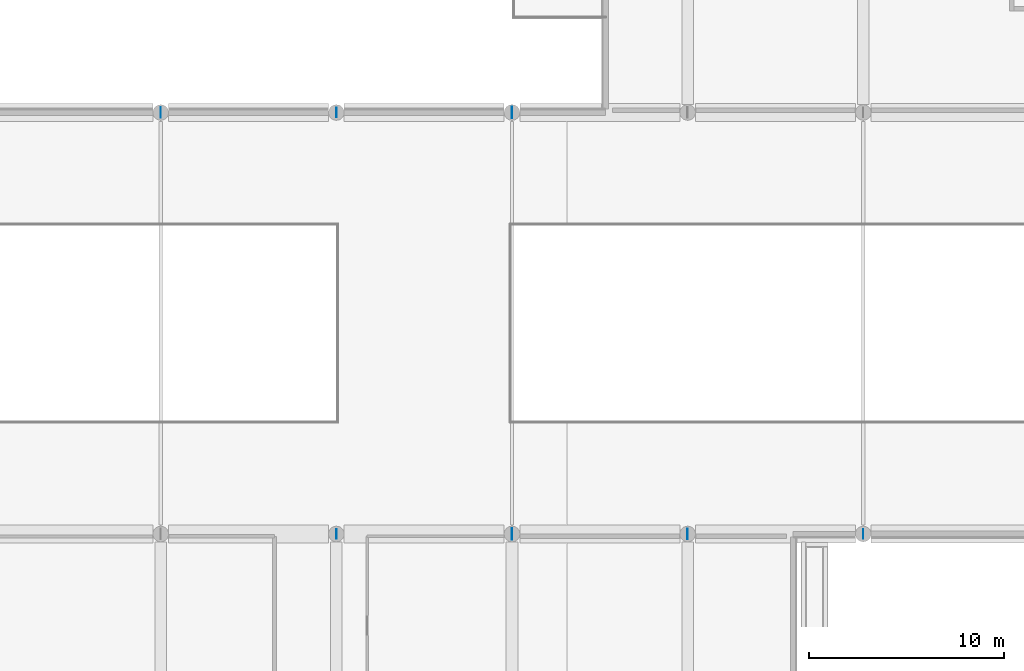
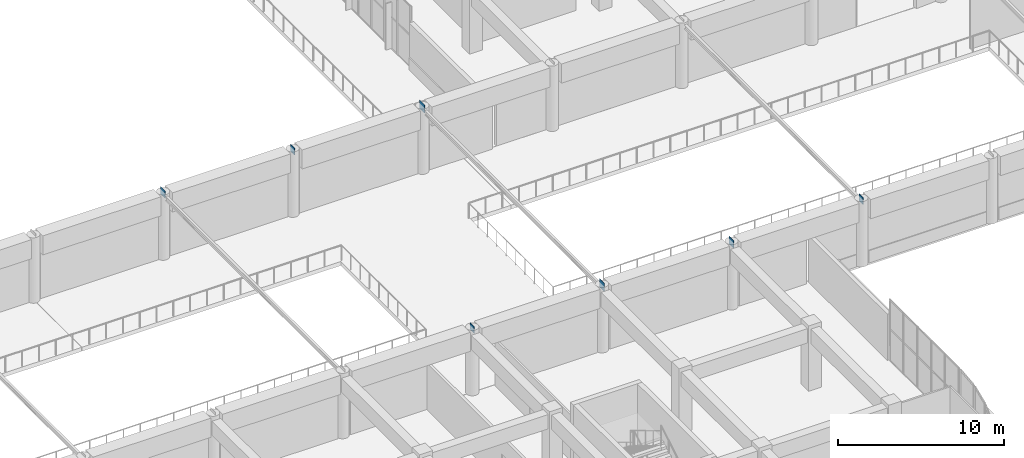
# One storey, part 58 of 96: 7 plates.
"""IFC4 building model written with IfcOpenShell, lengths in metres."""

import ifcopenshell
import ifcopenshell.guid

model = None  # the IFC model being written
_history = None  # IfcOwnerHistory: only IFC2X3 demands one
_inside = {}  # id of a spatial element -> (the spatial element, [elements in it])
_under = {}  # id of a project, library or spatial element -> (it, [spatial elements below it])
_declared = {}  # id of a project -> (the project, [libraries it declares])
_typed = {}  # id of a type object -> (the type object, [elements of that type])
_made_of = {}  # id of a material, layer set ... -> (it, [elements and type objects made of it])


def new_model(schema):
    """Start an empty IFC model of exactly this schema.

    Asked for "IFC4X3", IfcOpenShell would pick the latest addendum, in which some entities
    have other attributes; the version numbers below select the first issue.
    IFC2X3 requires an IfcOwnerHistory on every rooted entity: one is made here for all.
    """
    global model, _history
    if schema == "IFC4X3":
        model = ifcopenshell.file(schema_version=(4, 3, 0, 0))
    else:
        model = ifcopenshell.file(schema=schema)
    _inside.clear()
    _under.clear()
    _declared.clear()
    _typed.clear()
    _made_of.clear()
    _history = None
    if model.schema == "IFC2X3":
        org = make("IfcOrganization", Name="unknown")
        user = make(
            "IfcPersonAndOrganization",
            ThePerson=make("IfcPerson", FamilyName="unknown"),
            TheOrganization=org,
        )
        app = make(
            "IfcApplication",
            ApplicationDeveloper=org,
            Version="unknown",
            ApplicationFullName="unknown",
            ApplicationIdentifier="unknown",
        )
        _history = make(
            "IfcOwnerHistory",
            OwningUser=user,
            OwningApplication=app,
            ChangeAction="ADDED",
            CreationDate=0,
        )
    return model


def make(cls, **values):
    """One entity of the class cls with the attributes given. An attribute that is None is left unset."""
    return model.create_entity(
        cls, **{name: value for name, value in values.items() if value is not None}
    )


def rooted(cls, **values):
    """An entity with a GlobalId (a new one), such as an element, a storey or a relation."""
    return make(cls, GlobalId=ifcopenshell.guid.new(), OwnerHistory=_history, **values)


def si_unit(unit_type, name, prefix=None):
    """IfcSIUnit, for example si_unit("LENGTHUNIT", "METRE", prefix="MILLI")."""
    return make("IfcSIUnit", UnitType=unit_type, Prefix=prefix, Name=name)


def assignment(units):
    """IfcUnitAssignment: the units of a project."""
    return None if units is None else make("IfcUnitAssignment", Units=units)


def point(xyz):
    """IfcCartesianPoint."""
    return None if xyz is None else make("IfcCartesianPoint", Coordinates=xyz)


def direction(xyz):
    """IfcDirection."""
    return None if xyz is None else make("IfcDirection", DirectionRatios=xyz)


def frame(location, z_axis=None, x_axis=None):
    """IfcAxis2Placement3D, a coordinate frame: its origin and axes. An axis left out is left unset."""
    return make(
        "IfcAxis2Placement3D",
        Location=point(location),
        Axis=direction(z_axis),
        RefDirection=direction(x_axis),
    )


def frame_2d(location, x_axis=None):
    """IfcAxis2Placement2D, a coordinate frame in the plane: its origin and x axis."""
    return make(
        "IfcAxis2Placement2D", Location=point(location), RefDirection=direction(x_axis)
    )


def origin():
    """The frame at (0, 0, 0) with its axes left unset."""
    return frame((0.0, 0.0, 0.0))


def origin_2d():
    """The frame at (0, 0) in the plane with its x axis left unset."""
    return frame_2d((0.0, 0.0))


def place(relative_to, where):
    """IfcLocalPlacement: puts the frame where relative to a parent placement (None: the world)."""
    return make(
        "IfcLocalPlacement", PlacementRelTo=relative_to, RelativePlacement=where
    )


def context(
    kind, dimensions, precision=None, world=None, true_north=None, identifier=None
):
    """IfcGeometricRepresentationContext, for example the 3D "Model" context."""
    return make(
        "IfcGeometricRepresentationContext",
        ContextIdentifier=identifier,
        ContextType=kind,
        CoordinateSpaceDimension=dimensions,
        Precision=precision,
        WorldCoordinateSystem=world,
        TrueNorth=true_north,
    )


def subcontext(parent, identifier, kind, view, scale=None):
    """IfcGeometricRepresentationSubContext, for example "Body" below "Model"."""
    return make(
        "IfcGeometricRepresentationSubContext",
        ContextIdentifier=identifier,
        ContextType=kind,
        ParentContext=parent,
        TargetScale=scale,
        TargetView=view,
    )


def project(units=None, contexts=None):
    """IfcProject with its units and contexts."""
    return rooted(
        "IfcProject",
        Name="project",
        RepresentationContexts=contexts,
        UnitsInContext=assignment(units),
    )


def spatial(cls, under=None, at=None, **own):
    """A site, building, storey or space (cls), placed at a placement, below another one or the project."""
    s = rooted(cls, ObjectPlacement=at, **own)
    if under is not None:
        _under.setdefault(under.id(), (under, []))[1].append(s)
    return s


def profile(cls, at=None, kind="AREA", **sizes):
    """A parametric profile (cls). Its sizes go by their IFC names, for example OverallWidth=200.0."""
    return make(cls, ProfileType=kind, Position=at, **sizes)


def rectangle(**sizes):
    """IfcRectangleProfileDef."""
    return profile("IfcRectangleProfileDef", **sizes)


def extrude(swept, where, along, depth):
    """IfcExtrudedAreaSolid: the profile swept, set in the frame where, extruded along a direction by depth."""
    return make(
        "IfcExtrudedAreaSolid",
        SweptArea=swept,
        Position=where,
        ExtrudedDirection=direction(along),
        Depth=depth,
    )


def shape(context_of_items, identifier, shape_type, items):
    """IfcShapeRepresentation: the items that make up one representation, for example the "Body"."""
    return make(
        "IfcShapeRepresentation",
        ContextOfItems=context_of_items,
        RepresentationIdentifier=identifier,
        RepresentationType=shape_type,
        Items=items,
    )


def material(Name=None, Category=None):
    """IfcMaterial."""
    return make("IfcMaterial", Name=Name, Category=Category)


def layer(
    of_material, thickness, ventilated=None, Name=None, Category=None, Priority=None
):
    """IfcMaterialLayer: one layer of a wall or slab, of a material (None: an air gap)."""
    return make(
        "IfcMaterialLayer",
        Material=of_material,
        LayerThickness=thickness,
        IsVentilated=ventilated,
        Name=Name,
        Category=Category,
        Priority=Priority,
    )


def layer_set(layers, Name=None):
    """IfcMaterialLayerSet."""
    return make("IfcMaterialLayerSet", MaterialLayers=layers, LayerSetName=Name)


def made_of(thing, what):
    """Note that an element or type object is made of a material, layer set ...; save() writes the relation."""
    if what is not None:
        _made_of.setdefault(what.id(), (what, []))[1].append(thing)
    return thing


def type_object(cls, material=None, **own):
    """A type object (cls), such as IfcWallType, which elements share."""
    return made_of(rooted(cls, **own), material)


def element(
    cls,
    number,
    at=None,
    inside=None,
    cuts=None,
    type_object=None,
    material=None,
    context=None,
    identifier="Body",
    shape_type=None,
    held_by="IfcProductDefinitionShape",
    body=None,
    shapes=None,
    **own,
):
    """One element of the class cls, such as IfcWall. Its Tag is "e" and its number.

    at: its placement. inside: the storey or other place that contains it. cuts: it is an
    opening in that element (IfcRelVoidsElement). A single representation is given by context,
    identifier, shape_type and body (its items); several are given by shapes. held_by: the class
    of the entity that holds the representations. save() writes the other relations.
    """
    e = rooted(cls, Tag="e%d" % number, ObjectPlacement=at, **own)
    if body is not None:
        shapes = [shape(context, identifier, shape_type, body)]
    if shapes is not None:
        e.Representation = make(held_by, Representations=shapes)
    if inside is not None:
        _inside.setdefault(inside.id(), (inside, []))[1].append(e)
    if cuts is not None:
        rooted(
            "IfcRelVoidsElement", RelatingBuildingElement=cuts, RelatedOpeningElement=e
        )
    if type_object is not None:
        _typed.setdefault(type_object.id(), (type_object, []))[1].append(e)
    return made_of(e, material)


def aggregate(whole, parts):
    """IfcRelAggregates: a whole, such as a stair, and the parts it consists of."""
    return rooted("IfcRelAggregates", RelatingObject=whole, RelatedObjects=parts)


def save(model, path):
    """Write the relations noted so far, then the file.

    IfcRelAggregates (storeys below a building ...), IfcRelContainedInSpatialStructure (elements
    in a storey), IfcRelDefinesByType, IfcRelAssociatesMaterial and IfcRelDeclares: one each for
    every whole, place, type object, material and project.
    """
    for whole, parts in _under.values():
        aggregate(whole, parts)
    for where, things in _inside.values():
        rooted(
            "IfcRelContainedInSpatialStructure",
            RelatedElements=things,
            RelatingStructure=where,
        )
    for kind, things in _typed.values():
        rooted("IfcRelDefinesByType", RelatedObjects=things, RelatingType=kind)
    for what, things in _made_of.values():
        rooted("IfcRelAssociatesMaterial", RelatedObjects=things, RelatingMaterial=what)
    for by, libraries in _declared.values():
        rooted("IfcRelDeclares", RelatingContext=by, RelatedDefinitions=libraries)
    model.write(path)


model = new_model("IFC4")

# Units and contexts
model_context = context("Model", 3, precision=1e-05, world=origin(), true_north=direction((0.0, 1.0)))
body_context = subcontext(model_context, "Body", "Model", "MODEL_VIEW")
ifc_project = project(units=[si_unit("LENGTHUNIT", "METRE"), si_unit("AREAUNIT", "SQUARE_METRE"), si_unit("VOLUMEUNIT", "CUBIC_METRE"), si_unit("PLANEANGLEUNIT", "RADIAN"), si_unit("MASSUNIT", "GRAM", prefix="KILO")], contexts=[model_context])

# Site, building, storey
site_placement = place(None, origin())
site = spatial("IfcSite", under=ifc_project, at=site_placement, CompositionType="ELEMENT")
building_placement = place(site_placement, origin())
building = spatial("IfcBuilding", under=site, at=building_placement, Name="Cendralis Terraced Arcade", CompositionType="ELEMENT")
storey_placement = place(building_placement, frame((0.0, 0.0, 10.199951171875)))
storey = spatial("IfcBuildingStorey", under=building, at=storey_placement, Name="L02", CompositionType="ELEMENT", Elevation=10.199951171875)

# Plates
ifc_material = material(Name="Steel ASTM A572 Grade 50", Category="steel")
ifc_layer_1 = layer(ifc_material, 0.01806640625, Name="PLT-GUS-500x500x18")
ifc_layer_set_1 = layer_set([ifc_layer_1], Name="Steel ASTM A572 Grade 50")
plate_type_1 = type_object("IfcPlateType", Name="PLT-GUS-500x500x18", PredefinedType="SHEET", material=ifc_layer_set_1)
for number, where, z_axis, x_axis, name in (
    (1, (112.199951171875, 38.39990234375, 4.449951171875), (0.0, 0.0, 1.0), (0.0, 1.0, 0.0), "Shopping Arcade Vault Springing Node Gusset Plate 06-S"),
    (2, (112.199951171875, 60.0, 4.449951171875), (0.0, 0.0, 1.0), (0.0, 1.0, 0.0), "Shopping Arcade Vault Springing Node Gusset Plate 06-N"),
    (3, (139.199951171875, 38.39990234375, 4.449951171875), (0.0, 0.0, 1.0), (0.0, 1.0, 0.0), "Shopping Arcade Vault Springing Node Gusset Plate 09-S"),
):
    element("IfcPlate", number, at=place(storey_placement, frame(where, z_axis=z_axis, x_axis=x_axis)), inside=storey, type_object=plate_type_1, Name=name, PredefinedType="SHEET", context=body_context, shape_type="SweptSolid", body=[
        extrude(rectangle(XDim=0.5, YDim=0.01806640625, at=origin_2d()), origin(), (0.0, 0.0, 1.0), 0.5),
    ])
ifc_layer_2 = layer(ifc_material, 0.01806640625, Name="PLT-GUS-550x550x18")
ifc_layer_set_2 = layer_set([ifc_layer_2], Name="Steel ASTM A572 Grade 50")
plate_type_2 = type_object("IfcPlateType", Name="PLT-GUS-550x550x18", PredefinedType="SHEET", material=ifc_layer_set_2)
for number, where, z_axis, x_axis, name in (
    (4, (103.199951171875, 60.0, 4.4248046875), (0.0, 0.0, 1.0), (0.0, 1.0, 0.0), "Shopping Arcade Vault Springing Node Gusset Plate 05-N"),
    (5, (130.199951171875, 38.39990234375, 4.4248046875), (0.0, 0.0, 1.0), (0.0, 1.0, 0.0), "Shopping Arcade Vault Springing Node Gusset Plate 08-S"),
):
    element("IfcPlate", number, at=place(storey_placement, frame(where, z_axis=z_axis, x_axis=x_axis)), inside=storey, type_object=plate_type_2, Name=name, PredefinedType="SHEET", context=body_context, shape_type="SweptSolid", body=[
        extrude(rectangle(XDim=0.550048828125, YDim=0.01806640625, at=origin_2d()), origin(), (0.0, 0.0, 1.0), 0.550048828125),
    ])
ifc_layer_3 = layer(ifc_material, 0.02001953125, Name="PLT-GUS-600x600x20")
ifc_layer_set_3 = layer_set([ifc_layer_3], Name="Steel ASTM A572 Grade 50")
plate_type_3 = type_object("IfcPlateType", Name="PLT-GUS-600x600x20", PredefinedType="SHEET", material=ifc_layer_set_3)
for number, where, z_axis, x_axis, name in (
    (6, (121.199951171875, 38.39990234375, 4.39990234375), (0.0, 0.0, 1.0), (0.0, 1.0, 0.0), "Shopping Arcade Vault Springing Node Gusset Plate 07-S"),
    (7, (121.199951171875, 60.0, 4.39990234375), (0.0, 0.0, 1.0), (0.0, 1.0, 0.0), "Shopping Arcade Vault Springing Node Gusset Plate 07-N"),
):
    element("IfcPlate", number, at=place(storey_placement, frame(where, z_axis=z_axis, x_axis=x_axis)), inside=storey, type_object=plate_type_3, Name=name, PredefinedType="SHEET", context=body_context, shape_type="SweptSolid", body=[
        extrude(rectangle(XDim=0.60009765625, YDim=0.02001953125, at=origin_2d()), origin(), (0.0, 0.0, 1.0), 0.60009765625),
    ])

save(model, "model.ifc")
